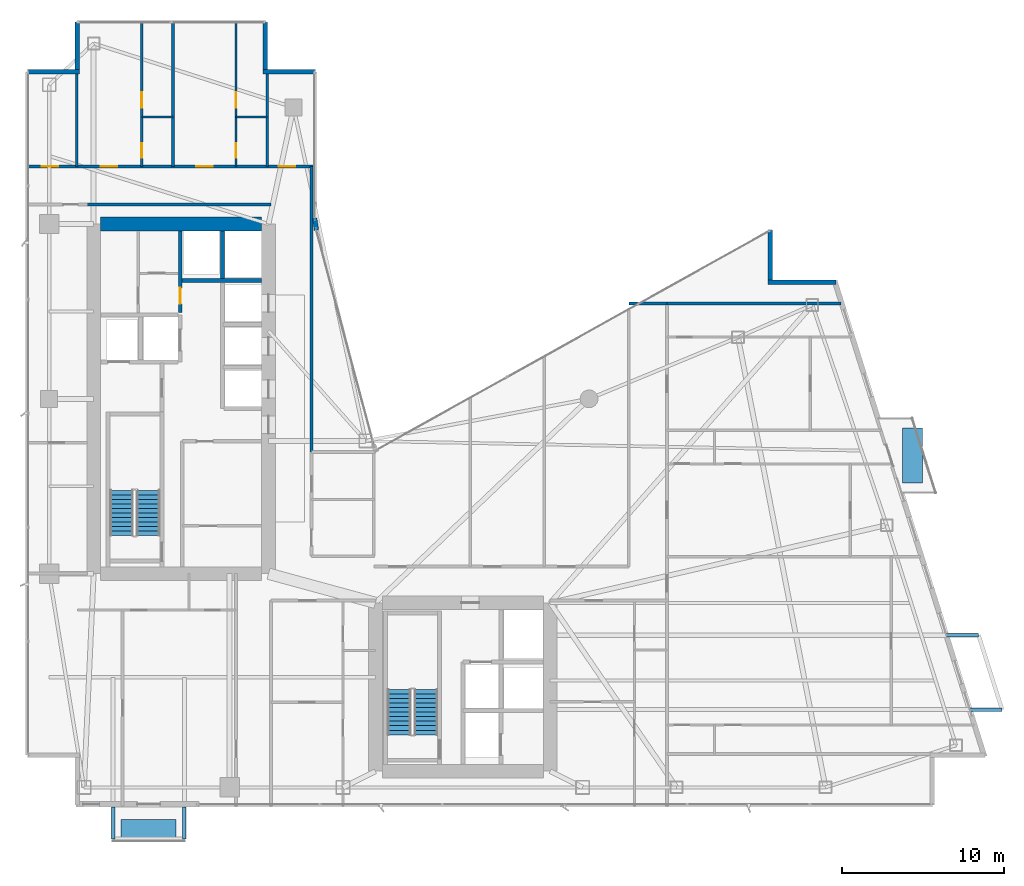
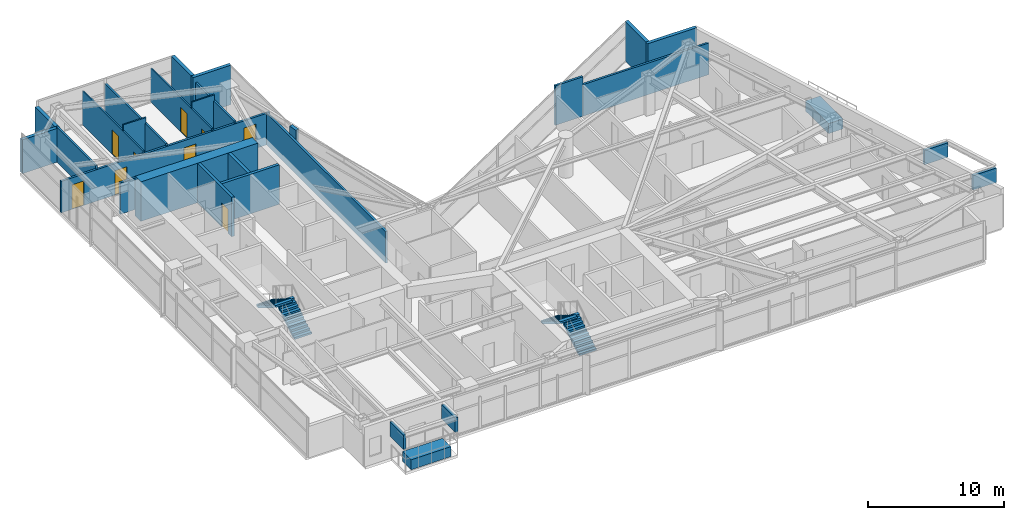
# One storey, part 25 of 28: 23 walls, 9 doors, 6 discrete accessories, 4 stair flights, 9 openings, 2 elements without a shape of their own.
"""IFC4 building model written with IfcOpenShell, lengths in metres."""

from ifc_helpers import new_model, si_unit, direction, frame, frame_2d, origin, origin_2d, place, context, subcontext, project, spatial, polyline, rectangle, outline, extrude, material, layer, layer_set, type_object, element, fill, aggregate, save


model = new_model("IFC4")

# Units and contexts
model_context = context("Model", 3, precision=1e-05, world=origin(), true_north=direction((0.0, 1.0)))
body_context = subcontext(model_context, "Body", "Model", "MODEL_VIEW")
ifc_project = project(units=[si_unit("LENGTHUNIT", "METRE"), si_unit("AREAUNIT", "SQUARE_METRE"), si_unit("VOLUMEUNIT", "CUBIC_METRE"), si_unit("PLANEANGLEUNIT", "RADIAN"), si_unit("MASSUNIT", "GRAM", prefix="KILO")], contexts=[model_context])

# Site, building, storey
site_placement = place(None, origin())
site = spatial("IfcSite", under=ifc_project, at=site_placement, CompositionType="ELEMENT")
building_placement = place(site_placement, origin())
building = spatial("IfcBuilding", under=site, at=building_placement, Name="Calvorn Quay Hotel", CompositionType="ELEMENT")
storey_placement = place(building_placement, frame((0.0, 0.0, 116.39990234375)))
storey = spatial("IfcBuildingStorey", under=building, at=storey_placement, Name="L28", CompositionType="ELEMENT", Elevation=116.39990234375)

# Wall
ifc_material_1 = material(Name="Concrete C50", Category="concrete")
ifc_layer_1 = layer(ifc_material_1, 0.85009765625)
ifc_layer_set_1 = layer_set([ifc_layer_1], Name="WL-CORE-850")
wall_type_1 = type_object("IfcWallType", Name="WL-CORE-850", PredefinedType="SHEAR", material=ifc_layer_set_1)
wall_1_placement = place(storey_placement, frame((4.625, 38.39990234375, 0.0), z_axis=(0.0, 0.0, 1.0), x_axis=(1.0, 0.0, 0.0)))
element("IfcWall", 1, at=wall_1_placement, inside=storey, type_object=wall_type_1, Name="West Core Shear Wall N (L28)", PredefinedType="SHEAR", context=body_context, shape_type="SweptSolid", body=[
    extrude(rectangle(XDim=9.949951171875, YDim=0.85009765625, at=frame_2d((4.97509765625, 0.0))), origin(), (0.0, 0.0, 1.0), 3.56005859375),
])

# Wall, openings, doors
ifc_material_2 = material(Name="Acoustic Fireboard Steel-Stud Partition", Category="steel")
ifc_layer_2 = layer(ifc_material_2, 0.179931640625)
ifc_layer_set_2 = layer_set([ifc_layer_2], Name="WL-CORR-FIRE-180")
wall_type_2 = type_object("IfcWallType", Name="WL-CORR-FIRE-180", PredefinedType="PARTITIONING", material=ifc_layer_set_2)
wall_2_placement = place(storey_placement, frame((0.080078125, 41.949951171875, 0.0), z_axis=(0.0, 0.0, 1.0), x_axis=(1.0, 0.0, 0.0)))
wall_2 = element("IfcWall", 2, at=wall_2_placement, inside=storey, type_object=wall_type_2, Name="Partition Wall L28-WL-CORR-NW-N", PredefinedType="PARTITIONING", context=body_context, shape_type="SweptSolid", body=[
    extrude(rectangle(XDim=17.77001953125, YDim=0.179931640625, at=frame_2d((8.885009765625, 0.0))), origin(), (0.0, 0.0, 1.0), 2.840087890625),
])
opening_1_placement = place(wall_2_placement, frame((0.89990234375, 0.0, 0.0)))
opening_1 = element("IfcOpeningElement", 3, at=opening_1_placement, cuts=wall_2, Name="Opening D-L28-NWW", PredefinedType="OPENING", context=body_context, shape_type="SweptSolid", body=[
    extrude(rectangle(XDim=1.02001953125, YDim=2.199951171875, at=frame_2d((0.510009765625, 1.10009765625))), frame((0.0, 0.099853515625, 0.0), z_axis=(0.0, -1.0, 0.0), x_axis=(1.0, 0.0, 0.0)), (0.0, 0.0, 1.0), 0.199951171875),
])
opening_2_placement = place(wall_2_placement, frame((4.570068359375, 0.0, 0.0)))
opening_2 = element("IfcOpeningElement", 4, at=opening_2_placement, cuts=wall_2, Name="Opening D-L28-U03", PredefinedType="OPENING", context=body_context, shape_type="SweptSolid", body=[
    extrude(rectangle(XDim=1.02001953125, YDim=2.199951171875, at=frame_2d((0.510009765625, 1.10009765625))), frame((0.0, 0.099853515625, 0.0), z_axis=(0.0, -1.0, 0.0), x_axis=(1.0, 0.0, 0.0)), (0.0, 0.0, 1.0), 0.199951171875),
])
opening_3_placement = place(wall_2_placement, frame((10.4599609375, 0.0, 0.0)))
opening_3 = element("IfcOpeningElement", 5, at=opening_3_placement, cuts=wall_2, Name="Opening D-L28-U04", PredefinedType="OPENING", context=body_context, shape_type="SweptSolid", body=[
    extrude(rectangle(XDim=1.02001953125, YDim=2.199951171875, at=frame_2d((0.510009765625, 1.10009765625))), frame((0.0, 0.099853515625, 0.0), z_axis=(0.0, -1.0, 0.0), x_axis=(1.0, 0.0, 0.0)), (0.0, 0.0, 1.0), 0.199951171875),
])
opening_4_placement = place(wall_2_placement, frame((15.550048828125, 0.0, 0.0)))
opening_4 = element("IfcOpeningElement", 6, at=opening_4_placement, cuts=wall_2, Name="Opening D-L28-NWE", PredefinedType="OPENING", context=body_context, shape_type="SweptSolid", body=[
    extrude(rectangle(XDim=1.02001953125, YDim=2.199951171875, at=frame_2d((0.510009765625, 1.10009765625))), frame((0.0, 0.099853515625, 0.0), z_axis=(0.0, -1.0, 0.0), x_axis=(1.0, 0.0, 0.0)), (0.0, 0.0, 1.0), 0.199951171875),
])
ifc_material_3 = material(Name="Solid-Core Walnut Veneer Hotel Fire Door")
door_type_1 = type_object("IfcDoorType", Name="DR-GUEST-ENTRY-1020", OperationType="NOTDEFINED", PredefinedType="DOOR", material=ifc_material_3)
door_1_placement = place(opening_1_placement, origin())
door_1 = element("IfcDoor", 7, at=door_1_placement, inside=storey, type_object=door_type_1, Name="West Corner Study Door (L28)", OperationType="SINGLE_SWING_LEFT", OverallHeight=2.199951171875, OverallWidth=1.02001953125, PredefinedType="DOOR", context=body_context, shape_type="SweptSolid", body=[
    extrude(rectangle(XDim=1.02001953125, YDim=2.199951171875, at=frame_2d((0.510009765625, 1.10009765625))), frame((0.0, 0.02490234375, 0.0), z_axis=(0.0, -1.0, 0.0), x_axis=(1.0, 0.0, 0.0)), (0.0, 0.0, 1.0), 0.050048828125),
])
fill(opening_1, door_1)
door_2_placement = place(opening_2_placement, origin())
door_2 = element("IfcDoor", 8, at=door_2_placement, inside=storey, type_object=door_type_1, Name="North-West Unit Door U03 (L28)", OperationType="SINGLE_SWING_RIGHT", OverallHeight=2.199951171875, OverallWidth=1.02001953125, PredefinedType="DOOR", context=body_context, shape_type="SweptSolid", body=[
    extrude(rectangle(XDim=1.02001953125, YDim=2.199951171875, at=frame_2d((0.510009765625, 1.10009765625))), frame((0.0, 0.02490234375, 0.0), z_axis=(0.0, -1.0, 0.0), x_axis=(1.0, 0.0, 0.0)), (0.0, 0.0, 1.0), 0.050048828125),
])
fill(opening_2, door_2)
door_3_placement = place(opening_3_placement, origin())
door_3 = element("IfcDoor", 9, at=door_3_placement, inside=storey, type_object=door_type_1, Name="North-West Unit Door U04 (L28)", OperationType="SINGLE_SWING_LEFT", OverallHeight=2.199951171875, OverallWidth=1.02001953125, PredefinedType="DOOR", context=body_context, shape_type="SweptSolid", body=[
    extrude(rectangle(XDim=1.02001953125, YDim=2.199951171875, at=frame_2d((0.510009765625, 1.10009765625))), frame((0.0, 0.02490234375, 0.0), z_axis=(0.0, -1.0, 0.0), x_axis=(1.0, 0.0, 0.0)), (0.0, 0.0, 1.0), 0.050048828125),
])
fill(opening_3, door_3)
door_4_placement = place(opening_4_placement, origin())
door_4 = element("IfcDoor", 10, at=door_4_placement, inside=storey, type_object=door_type_1, Name="Inner Court Study Door (L28)", OperationType="SINGLE_SWING_RIGHT", OverallHeight=2.199951171875, OverallWidth=1.02001953125, PredefinedType="DOOR", context=body_context, shape_type="SweptSolid", body=[
    extrude(rectangle(XDim=1.02001953125, YDim=2.199951171875, at=frame_2d((0.510009765625, 1.10009765625))), frame((0.0, 0.02490234375, 0.0), z_axis=(0.0, -1.0, 0.0), x_axis=(1.0, 0.0, 0.0)), (0.0, 0.0, 1.0), 0.050048828125),
])
fill(opening_4, door_4)

# Walls
wall_3_placement = place(storey_placement, frame((17.64990234375, 24.300048828125, 0.0), z_axis=(0.0, 0.0, 1.0), x_axis=(0.0, 1.0, 0.0)))
element("IfcWall", 11, at=wall_3_placement, inside=storey, type_object=wall_type_2, Name="Partition Wall L28-WL-NW-CLOSURE-E", PredefinedType="PARTITIONING", context=body_context, shape_type="SweptSolid", body=[
    extrude(rectangle(XDim=17.64990234375, YDim=0.179931640625, at=frame_2d((8.824951171875, 0.0))), origin(), (0.0, 0.0, 1.0), 2.840087890625),
])
wall_4_placement = place(storey_placement, frame((3.7548828125, 39.60009765625, 0.0), z_axis=(0.0, 0.0, 1.0), x_axis=(1.0, 0.0, 0.0)))
element("IfcWall", 12, at=wall_4_placement, inside=storey, type_object=wall_type_2, Name="Partition Wall L28-WL-W-SPUR-S", PredefinedType="PARTITIONING", context=body_context, shape_type="SweptSolid", body=[
    extrude(rectangle(XDim=11.39501953125, YDim=0.179931640625, at=frame_2d((5.697509765625, 0.0))), origin(), (0.0, 0.0, 1.0), 2.840087890625),
])
wall_5_placement = place(storey_placement, frame((39.60009765625, 33.47998046875, 0.0), z_axis=(0.0, 0.0, 1.0), x_axis=(1.0, 0.0, 0.0)))
element("IfcWall", 13, at=wall_5_placement, inside=storey, type_object=wall_type_2, Name="Partition Wall L28-WL-TIP-N", PredefinedType="PARTITIONING", context=body_context, shape_type="SweptSolid", body=[
    extrude(rectangle(XDim=10.760009765625, YDim=0.179931640625, at=frame_2d((5.3798828125, 0.0))), origin(), (0.0, 0.0, 1.0), 2.840087890625),
])
wall_6_placement = place(storey_placement, frame((37.25, 33.47998046875, 0.0), z_axis=(0.0, 0.0, 1.0), x_axis=(1.0, 0.0, 0.0)))
element("IfcWall", 14, at=wall_6_placement, inside=storey, type_object=wall_type_2, Name="Partition Wall L28-WL-CORR-TIP-NN", PredefinedType="PARTITIONING", context=body_context, shape_type="SweptSolid", body=[
    extrude(rectangle(XDim=2.35009765625, YDim=0.179931640625, at=frame_2d((1.175048828125, 0.0))), origin(), (0.0, 0.0, 1.0), 3.56005859375),
])
ifc_material_4 = material(Name="Moisture-Resistant Tile-Backed Partition")
ifc_layer_3 = layer(ifc_material_4, 0.125)
ifc_layer_set_3 = layer_set([ifc_layer_3], Name="WL-ENSUITE-125")
wall_type_3 = type_object("IfcWallType", Name="WL-ENSUITE-125", PredefinedType="PARTITIONING", material=ifc_layer_set_3)
wall_7_placement = place(storey_placement, frame((7.169921875, 45.02001953125, 0.0), z_axis=(0.0, 0.0, 1.0), x_axis=(1.0, 0.0, 0.0)))
element("IfcWall", 15, at=wall_7_placement, inside=storey, type_object=wall_type_3, Name="Partition Wall L28-WL-U03-BDV", PredefinedType="PARTITIONING", context=body_context, shape_type="SweptSolid", body=[
    extrude(rectangle(XDim=1.93017578125, YDim=0.125, at=frame_2d((0.965087890625, 0.0))), origin(), (0.0, 0.0, 1.0), 3.56005859375),
])

# Wall, openings, doors
wall_8_placement = place(storey_placement, frame((7.169921875, 41.949951171875, 0.0), z_axis=(0.0, 0.0, 1.0), x_axis=(0.0, 1.0, 0.0)))
wall_8 = element("IfcWall", 16, at=wall_8_placement, inside=storey, type_object=wall_type_3, Name="Partition Wall L28-WL-U03-BV", PredefinedType="PARTITIONING", context=body_context, shape_type="SweptSolid", body=[
    extrude(rectangle(XDim=8.989990234375, YDim=0.125, at=frame_2d((4.4951171875, 0.0))), origin(), (0.0, 0.0, 1.0), 3.0400390625),
])
opening_5_placement = place(wall_8_placement, frame((0.550048828125, 0.0, 0.0)))
opening_5 = element("IfcOpeningElement", 17, at=opening_5_placement, cuts=wall_8, Name="Opening D-L28-E03", PredefinedType="OPENING", context=body_context, shape_type="SweptSolid", body=[
    extrude(rectangle(XDim=0.89990234375, YDim=2.14990234375, at=frame_2d((0.449951171875, 1.074951171875))), frame((0.0, 0.072509765625, 0.0), z_axis=(0.0, -1.0, 0.0), x_axis=(1.0, 0.0, 0.0)), (0.0, 0.0, 1.0), 0.14501953125),
])
opening_6_placement = place(wall_8_placement, frame((3.6201171875, 0.0, 0.0)))
opening_6 = element("IfcOpeningElement", 18, at=opening_6_placement, cuts=wall_8, Name="Opening D-L28-S03", PredefinedType="OPENING", context=body_context, shape_type="SweptSolid", body=[
    extrude(rectangle(XDim=0.9599609375, YDim=2.199951171875, at=frame_2d((0.47998046875, 1.10009765625))), frame((0.0, 0.072509765625, 0.0), z_axis=(0.0, -1.0, 0.0), x_axis=(1.0, 0.0, 0.0)), (0.0, 0.0, 1.0), 0.14501953125),
])
ifc_material_5 = material(Name="Moisture-Sealed Timber En-Suite Door", Category="wood")
door_type_2 = type_object("IfcDoorType", Name="DR-ENSUITE-900", OperationType="NOTDEFINED", PredefinedType="DOOR", material=ifc_material_5)
door_5_placement = place(opening_5_placement, origin())
door_5 = element("IfcDoor", 19, at=door_5_placement, inside=storey, type_object=door_type_2, Name="En-Suite Door 03", OperationType="SINGLE_SWING_LEFT", OverallHeight=2.14990234375, OverallWidth=0.89990234375, PredefinedType="DOOR", context=body_context, shape_type="SweptSolid", body=[
    extrude(rectangle(XDim=0.89990234375, YDim=2.14990234375, at=frame_2d((0.449951171875, 1.074951171875))), frame((0.0, 0.02490234375, 0.0), z_axis=(0.0, -1.0, 0.0), x_axis=(1.0, 0.0, 0.0)), (0.0, 0.0, 1.0), 0.050048828125),
])
fill(opening_5, door_5)
ifc_material_6 = material(Name="Solid Timber Internal Suite Door", Category="wood")
door_type_3 = type_object("IfcDoorType", Name="DR-SUITE-INT-960", OperationType="NOTDEFINED", PredefinedType="DOOR", material=ifc_material_6)
door_6_placement = place(opening_6_placement, origin())
door_6 = element("IfcDoor", 20, at=door_6_placement, inside=storey, type_object=door_type_3, Name="Executive Study Door 03", OperationType="SINGLE_SWING_RIGHT", OverallHeight=2.199951171875, OverallWidth=0.9599609375, PredefinedType="DOOR", context=body_context, shape_type="SweptSolid", body=[
    extrude(rectangle(XDim=0.9599609375, YDim=2.199951171875, at=frame_2d((0.47998046875, 1.10009765625))), frame((0.0, 0.02490234375, 0.0), z_axis=(0.0, -1.0, 0.0), x_axis=(1.0, 0.0, 0.0)), (0.0, 0.0, 1.0), 0.050048828125),
])
fill(opening_6, door_6)

# Wall
wall_9_placement = place(storey_placement, frame((12.989990234375, 45.02001953125, 0.0), z_axis=(0.0, 0.0, 1.0), x_axis=(1.0, 0.0, 0.0)))
element("IfcWall", 21, at=wall_9_placement, inside=storey, type_object=wall_type_3, Name="Partition Wall L28-WL-U04-BDV", PredefinedType="PARTITIONING", context=body_context, shape_type="SweptSolid", body=[
    extrude(rectangle(XDim=1.929931640625, YDim=0.125, at=frame_2d((0.96484375, 0.0))), origin(), (0.0, 0.0, 1.0), 3.56005859375),
])

# Wall, openings, doors
wall_10_placement = place(storey_placement, frame((12.989990234375, 41.949951171875, 0.0), z_axis=(0.0, 0.0, 1.0), x_axis=(0.0, 1.0, 0.0)))
wall_10 = element("IfcWall", 22, at=wall_10_placement, inside=storey, type_object=wall_type_3, Name="Partition Wall L28-WL-U04-BV", PredefinedType="PARTITIONING", context=body_context, shape_type="SweptSolid", body=[
    extrude(rectangle(XDim=8.989990234375, YDim=0.125, at=frame_2d((4.4951171875, 0.0))), origin(), (0.0, 0.0, 1.0), 3.0400390625),
])
opening_7_placement = place(wall_10_placement, frame((0.550048828125, 0.0, 0.0)))
opening_7 = element("IfcOpeningElement", 23, at=opening_7_placement, cuts=wall_10, Name="Opening D-L28-E04", PredefinedType="OPENING", context=body_context, shape_type="SweptSolid", body=[
    extrude(rectangle(XDim=0.89990234375, YDim=2.14990234375, at=frame_2d((0.449951171875, 1.074951171875))), frame((0.0, 0.072509765625, 0.0), z_axis=(0.0, -1.0, 0.0), x_axis=(1.0, 0.0, 0.0)), (0.0, 0.0, 1.0), 0.14501953125),
])
opening_8_placement = place(wall_10_placement, frame((3.6201171875, 0.0, 0.0)))
opening_8 = element("IfcOpeningElement", 24, at=opening_8_placement, cuts=wall_10, Name="Opening D-L28-S04", PredefinedType="OPENING", context=body_context, shape_type="SweptSolid", body=[
    extrude(rectangle(XDim=0.9599609375, YDim=2.199951171875, at=frame_2d((0.47998046875, 1.10009765625))), frame((0.0, 0.072509765625, 0.0), z_axis=(0.0, -1.0, 0.0), x_axis=(1.0, 0.0, 0.0)), (0.0, 0.0, 1.0), 0.14501953125),
])
door_7_placement = place(opening_7_placement, origin())
door_7 = element("IfcDoor", 25, at=door_7_placement, inside=storey, type_object=door_type_2, Name="En-Suite Door 04", OperationType="SINGLE_SWING_LEFT", OverallHeight=2.14990234375, OverallWidth=0.89990234375, PredefinedType="DOOR", context=body_context, shape_type="SweptSolid", body=[
    extrude(rectangle(XDim=0.89990234375, YDim=2.14990234375, at=frame_2d((0.449951171875, 1.074951171875))), frame((0.0, 0.02490234375, 0.0), z_axis=(0.0, -1.0, 0.0), x_axis=(1.0, 0.0, 0.0)), (0.0, 0.0, 1.0), 0.050048828125),
])
fill(opening_7, door_7)
door_8_placement = place(opening_8_placement, origin())
door_8 = element("IfcDoor", 26, at=door_8_placement, inside=storey, type_object=door_type_3, Name="Executive Study Door 04", OperationType="SINGLE_SWING_RIGHT", OverallHeight=2.199951171875, OverallWidth=0.9599609375, PredefinedType="DOOR", context=body_context, shape_type="SweptSolid", body=[
    extrude(rectangle(XDim=0.9599609375, YDim=2.199951171875, at=frame_2d((0.47998046875, 1.10009765625))), frame((0.0, 0.02490234375, 0.0), z_axis=(0.0, -1.0, 0.0), x_axis=(1.0, 0.0, 0.0)), (0.0, 0.0, 1.0), 0.050048828125),
])
fill(opening_8, door_8)

# Walls
ifc_material_7 = material(Name="Concrete C40", Category="concrete")
ifc_layer_4 = layer(ifc_material_7, 0.320068359375)
ifc_layer_set_4 = layer_set([ifc_layer_4], Name="WL-EXT-SPANDREL-320")
wall_type_4 = type_object("IfcWallType", Name="WL-EXT-SPANDREL-320", PredefinedType="SOLIDWALL", material=ifc_layer_set_4)
wall_11_placement = place(storey_placement, frame((17.9619140625, 38.030029296875, 0.0), z_axis=(0.0, 0.0, 1.0), x_axis=(-0.15141125477, 0.988470855377, 0.0)))
element("IfcWall", 27, at=wall_11_placement, inside=storey, type_object=wall_type_4, Name="Inner Court Corner Pier L28-ICJ2", PredefinedType="SOLIDWALL", context=body_context, shape_type="SweptSolid", body=[
    extrude(rectangle(XDim=0.738525390625, YDim=0.280029296875, at=frame_2d((0.369140625, 0.0))), origin(), (0.0, 0.0, 1.0), 3.56005859375),
])
wall_12_placement = place(storey_placement, frame((50.0400390625, 34.800048828125, 0.0), z_axis=(0.0, 0.0, 1.0), x_axis=(-1.0, 0.0, 0.0)))
element("IfcWall", 28, at=wall_12_placement, inside=storey, type_object=wall_type_4, Name="Notched Corner Spandrel L28-NE1", PredefinedType="SOLIDWALL", context=body_context, shape_type="SweptSolid", body=[
    extrude(rectangle(XDim=4.179931640625, YDim=0.280029296875, at=frame_2d((2.08984375, 0.0))), origin(), (0.0, 0.0, 1.0), 3.56005859375),
])
wall_13_placement = place(storey_placement, frame((46.0, 34.93994140625, 0.0), z_axis=(0.0, 0.0, 1.0), x_axis=(0.0, 1.0, 0.0)))
element("IfcWall", 29, at=wall_13_placement, inside=storey, type_object=wall_type_4, Name="Notched Corner Spandrel L28-NE2", PredefinedType="SOLIDWALL", context=body_context, shape_type="SweptSolid", body=[
    extrude(rectangle(XDim=3.10009765625, YDim=0.280029296875, at=frame_2d((1.550048828125, 0.0))), origin(), (0.0, 0.0, 1.0), 3.56005859375),
])
wall_14_placement = place(storey_placement, frame((17.89990234375, 47.800048828125, 0.0), z_axis=(0.0, 0.0, 1.0), x_axis=(-1.0, 0.0, 0.0)))
element("IfcWall", 30, at=wall_14_placement, inside=storey, type_object=wall_type_4, Name="Notched Corner Spandrel L28-NWE1", PredefinedType="SOLIDWALL", context=body_context, shape_type="SweptSolid", body=[
    extrude(rectangle(XDim=3.239990234375, YDim=0.280029296875, at=frame_2d((1.6201171875, 0.0))), origin(), (0.0, 0.0, 1.0), 3.56005859375),
])
wall_15_placement = place(storey_placement, frame((14.800048828125, 47.93994140625, 0.0), z_axis=(0.0, 0.0, 1.0), x_axis=(0.0, 1.0, 0.0)))
element("IfcWall", 31, at=wall_15_placement, inside=storey, type_object=wall_type_4, Name="Notched Corner Spandrel L28-NWE2", PredefinedType="SOLIDWALL", context=body_context, shape_type="SweptSolid", body=[
    extrude(rectangle(XDim=2.93994140625, YDim=0.280029296875, at=frame_2d((1.469970703125, 0.0))), origin(), (0.0, 0.0, 1.0), 3.56005859375),
])
wall_16_placement = place(storey_placement, frame((3.199951171875, 50.8798828125, 0.0), z_axis=(0.0, 0.0, 1.0), x_axis=(0.0, -1.0, 0.0)))
element("IfcWall", 32, at=wall_16_placement, inside=storey, type_object=wall_type_4, Name="Notched Corner Spandrel L28-NW1", PredefinedType="SOLIDWALL", context=body_context, shape_type="SweptSolid", body=[
    extrude(rectangle(XDim=2.93994140625, YDim=0.280029296875, at=frame_2d((1.469970703125, 0.0))), origin(), (0.0, 0.0, 1.0), 3.0400390625),
])
wall_17_placement = place(storey_placement, frame((3.340087890625, 47.800048828125, 0.0), z_axis=(0.0, 0.0, 1.0), x_axis=(-1.0, 0.0, 0.0)))
element("IfcWall", 33, at=wall_17_placement, inside=storey, type_object=wall_type_4, Name="Notched Corner Spandrel L28-NW2", PredefinedType="SOLIDWALL", context=body_context, shape_type="SweptSolid", body=[
    extrude(rectangle(XDim=3.219970703125, YDim=0.280029296875, at=frame_2d((1.60986328125, 0.0))), origin(), (0.0, 0.0, 1.0), 3.0400390625),
])
ifc_material_8 = material(Name="Double-Stud Acoustic Gypsum Partition")
ifc_layer_5 = layer(ifc_material_8, 0.159912109375)
ifc_layer_set_5 = layer_set([ifc_layer_5], Name="WL-INTERSUITE-160")
wall_type_5 = type_object("IfcWallType", Name="WL-INTERSUITE-160", PredefinedType="PARTITIONING", material=ifc_layer_set_5)
wall_18_placement = place(storey_placement, frame((3.14990234375, 41.949951171875, 0.0), z_axis=(0.0, 0.0, 1.0), x_axis=(0.0, 1.0, 0.0)))
element("IfcWall", 34, at=wall_18_placement, inside=storey, type_object=wall_type_5, Name="Partition Wall L28-WL-NW-DIV-W0", PredefinedType="PARTITIONING", context=body_context, shape_type="SweptSolid", body=[
    extrude(rectangle(XDim=5.85009765625, YDim=0.159912109375, at=frame_2d((2.925048828125, 0.0))), origin(), (0.0, 0.0, 1.0), 3.14013671875),
])
wall_19_placement = place(storey_placement, frame((14.919921875, 41.949951171875, 0.0), z_axis=(0.0, 0.0, 1.0), x_axis=(0.0, 1.0, 0.0)))
element("IfcWall", 35, at=wall_19_placement, inside=storey, type_object=wall_type_5, Name="Partition Wall L28-WL-NW-DIV-E0", PredefinedType="PARTITIONING", context=body_context, shape_type="SweptSolid", body=[
    extrude(rectangle(XDim=5.85009765625, YDim=0.159912109375, at=frame_2d((2.925048828125, 0.0))), origin(), (0.0, 0.0, 1.0), 3.0400390625),
])
wall_20_placement = place(storey_placement, frame((9.10009765625, 41.949951171875, 0.0), z_axis=(0.0, 0.0, 1.0), x_axis=(0.0, 1.0, 0.0)))
element("IfcWall", 36, at=wall_20_placement, inside=storey, type_object=wall_type_5, Name="Partition Wall L28-WL-NW-DIV-1", PredefinedType="PARTITIONING", context=body_context, shape_type="SweptSolid", body=[
    extrude(rectangle(XDim=8.989990234375, YDim=0.159912109375, at=frame_2d((4.4951171875, 0.0))), origin(), (0.0, 0.0, 1.0), 3.0400390625),
])

# Wall, opening, door
ifc_material_9 = material(Name="Autoclaved Aerated Masonry Block", Category="masonry")
ifc_layer_6 = layer(ifc_material_9, 0.219970703125)
ifc_layer_set_6 = layer_set([ifc_layer_6], Name="WL-LOBBY-FIRE-220")
wall_type_6 = type_object("IfcWallType", Name="WL-LOBBY-FIRE-220", PredefinedType="SOLIDWALL", material=ifc_layer_set_6)
wall_21_placement = place(storey_placement, frame((9.5400390625, 32.919921875, 0.0), z_axis=(0.0, 0.0, 1.0), x_axis=(0.0, 1.0, 0.0)))
wall_21 = element("IfcWall", 37, at=wall_21_placement, inside=storey, type_object=wall_type_6, Name="Partition Wall L28-WL-CWW-K-E", PredefinedType="SOLIDWALL", context=body_context, shape_type="SweptSolid", body=[
    extrude(rectangle(XDim=5.03515625, YDim=0.219970703125, at=frame_2d((2.517578125, 0.0))), origin(), (0.0, 0.0, 1.0), 3.56005859375),
])
opening_9_placement = place(wall_21_placement, frame((0.550048828125, 0.0, 0.0)))
opening_9 = element("IfcOpeningElement", 38, at=opening_9_placement, cuts=wall_21, Name="Opening D-L28-CK2", PredefinedType="OPENING", context=body_context, shape_type="SweptSolid", body=[
    extrude(rectangle(XDim=0.97998046875, YDim=2.14990234375, at=frame_2d((0.489990234375, 1.074951171875))), frame((0.0, 0.119873046875, 0.0), z_axis=(0.0, -1.0, 0.0), x_axis=(1.0, 0.0, 0.0)), (0.0, 0.0, 1.0), 0.239990234375),
])
ifc_material_10 = material(Name="Painted Steel Housekeeping/Riser Fire Door", Category="steel")
door_type_4 = type_object("IfcDoorType", Name="DR-SERVICE-980", OperationType="NOTDEFINED", PredefinedType="DOOR", material=ifc_material_10)
door_9_placement = place(opening_9_placement, origin())
door_9 = element("IfcDoor", 39, at=door_9_placement, inside=storey, type_object=door_type_4, Name="Valet Closet Door (L28)", OperationType="SINGLE_SWING_LEFT", OverallHeight=2.14990234375, OverallWidth=0.97998046875, PredefinedType="DOOR", context=body_context, shape_type="SweptSolid", body=[
    extrude(rectangle(XDim=0.97998046875, YDim=2.14990234375, at=frame_2d((0.489990234375, 1.074951171875))), frame((0.0, 0.02490234375, 0.0), z_axis=(0.0, -1.0, 0.0), x_axis=(1.0, 0.0, 0.0)), (0.0, 0.0, 1.0), 0.050048828125),
])
fill(opening_9, door_9)

# Walls
ifc_material_11 = material(Name="Concrete C40", Category="concrete")
ifc_layer_7 = layer(ifc_material_11, 0.239990234375)
ifc_layer_set_7 = layer_set([ifc_layer_7], Name="WL-SHAFT-240")
wall_type_7 = type_object("IfcWallType", Name="WL-SHAFT-240", PredefinedType="SOLIDWALL", material=ifc_layer_set_7)
wall_22_placement = place(storey_placement, frame((9.659912109375, 34.89990234375, 0.0), z_axis=(0.0, 0.0, 1.0), x_axis=(1.0, 0.0, 0.0)))
element("IfcWall", 40, at=wall_22_placement, inside=storey, type_object=wall_type_7, Name="Partition Wall L28-WL-CWW-PLH-S", PredefinedType="SOLIDWALL", context=body_context, shape_type="SweptSolid", body=[
    extrude(rectangle(XDim=4.89501953125, YDim=0.239990234375, at=frame_2d((2.447509765625, 0.0))), origin(), (0.0, 0.0, 1.0), 3.56005859375),
])
wall_23_placement = place(storey_placement, frame((12.14990234375, 35.02001953125, 0.0), z_axis=(0.0, 0.0, 1.0), x_axis=(0.0, 1.0, 0.0)))
element("IfcWall", 41, at=wall_23_placement, inside=storey, type_object=wall_type_7, Name="Partition Wall L28-WL-CWW-PLH-DIV", PredefinedType="SOLIDWALL", context=body_context, shape_type="SweptSolid", body=[
    extrude(rectangle(XDim=2.93505859375, YDim=0.239990234375, at=frame_2d((1.467529296875, 0.0))), origin(), (0.0, 0.0, 1.0), 3.56005859375),
])

# Stair, stair flights
ifc_material_12 = material(Name="Concrete C40", Category="concrete")
stair_type = type_object("IfcStairType", Name="STR-CORE-DOGLEG", PredefinedType="HALF_TURN_STAIR", material=ifc_material_12)
stair_1_placement = place(storey_placement, origin())
stair_1 = element("IfcStair", 42, at=stair_1_placement, inside=storey, type_object=stair_type, Name="L28 ST-W", PredefinedType="HALF_TURN_STAIR")
ifc_material_13 = material(Name="Concrete C40", Category="concrete")
stair_flight_type = type_object("IfcStairFlightType", Name="FLT-CORE-1550", PredefinedType="STRAIGHT", material=ifc_material_13)
stair_flight_1_placement = place(storey_placement, frame((7.574951171875, 19.14990234375, 0.0), z_axis=(0.0, 0.0, 1.0), x_axis=(0.0, 1.0, 0.0)))
stair_flight_1 = element("IfcStairFlight", 43, at=stair_flight_1_placement, type_object=stair_flight_type, Name="ST-W flight 1", NumberOfRisers=11, NumberOfTreads=10, PredefinedType="STRAIGHT", RiserHeight=0.172727273, TreadLength=0.28, context=body_context, shape_type="SweptSolid", body=[
    extrude(outline(polyline([(0.0, 0.0), (0.0, 0.172607421875), (0.280029296875, 0.172607421875), (0.280029296875, 0.345458984375), (0.56005859375, 0.345458984375), (0.56005859375, 0.51806640625), (0.840087890625, 0.51806640625), (0.840087890625, 0.69091796875), (1.1201171875, 0.69091796875), (1.1201171875, 0.863525390625), (1.39990234375, 0.863525390625), (1.39990234375, 1.036376953125), (1.679931640625, 1.036376953125), (1.679931640625, 1.208984375), (1.9599609375, 1.208984375), (1.9599609375, 1.3818359375), (2.239990234375, 1.3818359375), (2.239990234375, 1.554443359375), (2.52001953125, 1.554443359375), (2.52001953125, 1.727294921875), (2.800048828125, 1.727294921875), (2.800048828125, 1.89990234375), (2.800048828125, 1.551025390625), (0.285400390625, 0.0), (0.0, 0.0)])), frame((0.0, 0.72509765625, 0.0), z_axis=(0.0, -1.0, 0.0), x_axis=(1.0, 0.0, 0.0)), (0.0, 0.0, 1.0), 1.449951171875),
])
stair_flight_2_placement = place(storey_placement, frame((5.925048828125, 21.949951171875, 1.900146484375), z_axis=(0.0, 0.0, 1.0), x_axis=(0.0, -1.0, 0.0)))
stair_flight_2 = element("IfcStairFlight", 44, at=stair_flight_2_placement, type_object=stair_flight_type, Name="ST-W flight 2", NumberOfRisers=11, NumberOfTreads=10, PredefinedType="STRAIGHT", RiserHeight=0.172727273, TreadLength=0.28, context=body_context, shape_type="SweptSolid", body=[
    extrude(outline(polyline([(0.0, 0.0), (0.0, 0.172607421875), (0.280029296875, 0.172607421875), (0.280029296875, 0.345458984375), (0.56005859375, 0.345458984375), (0.56005859375, 0.51806640625), (0.840087890625, 0.51806640625), (0.840087890625, 0.69091796875), (1.1201171875, 0.69091796875), (1.1201171875, 0.863525390625), (1.39990234375, 0.863525390625), (1.39990234375, 1.036376953125), (1.679931640625, 1.036376953125), (1.679931640625, 1.208984375), (1.9599609375, 1.208984375), (1.9599609375, 1.3818359375), (2.239990234375, 1.3818359375), (2.239990234375, 1.554443359375), (2.52001953125, 1.554443359375), (2.52001953125, 1.727294921875), (2.800048828125, 1.727294921875), (2.800048828125, 1.89990234375), (2.800048828125, 1.551025390625), (0.285400390625, 0.0), (0.0, 0.0)])), frame((0.0, 0.72509765625, 0.0), z_axis=(0.0, -1.0, 0.0), x_axis=(1.0, 0.0, 0.0)), (0.0, 0.0, 1.0), 1.449951171875),
])
aggregate(stair_1, [stair_flight_1, stair_flight_2])

stair_2_placement = place(storey_placement, origin())
stair_2 = element("IfcStair", 45, at=stair_2_placement, inside=storey, type_object=stair_type, Name="L28 ST-E", PredefinedType="HALF_TURN_STAIR")
stair_flight_3_placement = place(storey_placement, frame((24.72509765625, 6.85009765625, 0.0), z_axis=(0.0, 0.0, 1.0), x_axis=(0.0, 1.0, 0.0)))
stair_flight_3 = element("IfcStairFlight", 46, at=stair_flight_3_placement, type_object=stair_flight_type, Name="ST-E flight 1", NumberOfRisers=11, NumberOfTreads=10, PredefinedType="STRAIGHT", RiserHeight=0.172727273, TreadLength=0.28, context=body_context, shape_type="SweptSolid", body=[
    extrude(outline(polyline([(0.0, 0.0), (0.0, 0.172607421875), (0.280029296875, 0.172607421875), (0.280029296875, 0.345458984375), (0.56005859375, 0.345458984375), (0.56005859375, 0.51806640625), (0.840087890625, 0.51806640625), (0.840087890625, 0.69091796875), (1.1201171875, 0.69091796875), (1.1201171875, 0.863525390625), (1.39990234375, 0.863525390625), (1.39990234375, 1.036376953125), (1.679931640625, 1.036376953125), (1.679931640625, 1.208984375), (1.9599609375, 1.208984375), (1.9599609375, 1.3818359375), (2.239990234375, 1.3818359375), (2.239990234375, 1.554443359375), (2.52001953125, 1.554443359375), (2.52001953125, 1.727294921875), (2.800048828125, 1.727294921875), (2.800048828125, 1.89990234375), (2.800048828125, 1.551025390625), (0.285400390625, 0.0), (0.0, 0.0)])), frame((0.0, 0.72509765625, 0.0), z_axis=(0.0, -1.0, 0.0), x_axis=(1.0, 0.0, 0.0)), (0.0, 0.0, 1.0), 1.449951171875),
])
stair_flight_4_placement = place(storey_placement, frame((23.074951171875, 9.64990234375, 1.900146484375), z_axis=(0.0, 0.0, 1.0), x_axis=(0.0, -1.0, 0.0)))
stair_flight_4 = element("IfcStairFlight", 47, at=stair_flight_4_placement, type_object=stair_flight_type, Name="ST-E flight 2", NumberOfRisers=11, NumberOfTreads=10, PredefinedType="STRAIGHT", RiserHeight=0.172727273, TreadLength=0.28, context=body_context, shape_type="SweptSolid", body=[
    extrude(outline(polyline([(0.0, 0.0), (0.0, 0.172607421875), (0.280029296875, 0.172607421875), (0.280029296875, 0.345458984375), (0.56005859375, 0.345458984375), (0.56005859375, 0.51806640625), (0.840087890625, 0.51806640625), (0.840087890625, 0.69091796875), (1.1201171875, 0.69091796875), (1.1201171875, 0.863525390625), (1.39990234375, 0.863525390625), (1.39990234375, 1.036376953125), (1.679931640625, 1.036376953125), (1.679931640625, 1.208984375), (1.9599609375, 1.208984375), (1.9599609375, 1.3818359375), (2.239990234375, 1.3818359375), (2.239990234375, 1.554443359375), (2.52001953125, 1.554443359375), (2.52001953125, 1.727294921875), (2.800048828125, 1.727294921875), (2.800048828125, 1.89990234375), (2.800048828125, 1.551025390625), (0.285400390625, 0.0), (0.0, 0.0)])), frame((0.0, 0.72509765625, 0.0), z_axis=(0.0, -1.0, 0.0), x_axis=(1.0, 0.0, 0.0)), (0.0, 0.0, 1.0), 1.449951171875),
])
aggregate(stair_2, [stair_flight_3, stair_flight_4])

# Discrete accessories
ifc_material_14 = material(Name="Steel Q355B", Category="steel")
discrete_accessory_type_1 = type_object("IfcDiscreteAccessoryType", Name="ACC-BALC-STRUT", PredefinedType="BRACKET", material=ifc_material_14)
for number, where, z_axis, x_axis, name in (
    (48, (59.31298828125, 8.39990234375, 2.01513671875), (0.0, 0.0, 1.0), (1.0, 0.0, 0.0), "Exterior Balcony Steel Bracket L29-BALC-E-A"),
    (49, (57.863037109375, 13.0, 2.01513671875), (0.0, 0.0, 1.0), (1.0, 0.0, 0.0), "Exterior Balcony Steel Bracket L29-BALC-E-B"),
):
    element("IfcDiscreteAccessory", number, at=place(storey_placement, frame(where, z_axis=z_axis, x_axis=x_axis)), inside=storey, type_object=discrete_accessory_type_1, Name=name, PredefinedType="BRACKET", context=body_context, shape_type="SweptSolid", body=[
        extrude(rectangle(XDim=1.989990234375, YDim=0.219970703125, at=origin_2d()), origin(), (0.0, 0.0, 1.0), 1.300048828125),
    ])
for number, where, z_axis, x_axis, name in (
    (50, (5.39990234375, 1.405029296875, 2.01513671875), (0.0, 0.0, 1.0), (1.0, 0.0, 0.0), "Exterior Balcony Steel Bracket L29-BALC-S-A"),
    (51, (9.800048828125, 1.405029296875, 2.01513671875), (0.0, 0.0, 1.0), (1.0, 0.0, 0.0), "Exterior Balcony Steel Bracket L29-BALC-S-B"),
):
    element("IfcDiscreteAccessory", number, at=place(storey_placement, frame(where, z_axis=z_axis, x_axis=x_axis)), inside=storey, type_object=discrete_accessory_type_1, Name=name, PredefinedType="BRACKET", context=body_context, shape_type="SweptSolid", body=[
        extrude(rectangle(XDim=0.219970703125, YDim=1.989990234375, at=origin_2d()), origin(), (0.0, 0.0, 1.0), 1.300048828125),
    ])
ifc_material_15 = material(Name="Precast concrete C40", Category="concrete")
discrete_accessory_type_2 = type_object("IfcDiscreteAccessoryType", Name="ACC-TREE-PLANTER", PredefinedType="USERDEFINED", material=ifc_material_15)
discrete_accessory_1_placement = place(storey_placement, frame((54.781982421875, 24.10009765625, 0.000244140625), z_axis=(0.0, 0.0, 1.0), x_axis=(1.0, 0.0, 0.0)))
element("IfcDiscreteAccessory", 52, at=discrete_accessory_1_placement, inside=storey, type_object=discrete_accessory_type_2, Name="Subtropical Tree Structural Planter L28-BALC-E", ObjectType="PLANTER", PredefinedType="USERDEFINED", context=body_context, shape_type="SweptSolid", body=[
    extrude(rectangle(XDim=1.25, YDim=3.39990234375, at=origin_2d()), origin(), (0.0, 0.0, 1.0), 0.89990234375),
])
discrete_accessory_2_placement = place(storey_placement, frame((7.60009765625, 0.989990234375, 0.000244140625), z_axis=(0.0, 0.0, 1.0), x_axis=(1.0, 0.0, 0.0)))
element("IfcDiscreteAccessory", 53, at=discrete_accessory_2_placement, inside=storey, type_object=discrete_accessory_type_2, Name="Subtropical Tree Structural Planter L28-BALC-S", ObjectType="PLANTER", PredefinedType="USERDEFINED", context=body_context, shape_type="SweptSolid", body=[
    extrude(rectangle(XDim=3.39990234375, YDim=1.25, at=origin_2d()), origin(), (0.0, 0.0, 1.0), 0.89990234375),
])

save(model, "model.ifc")
